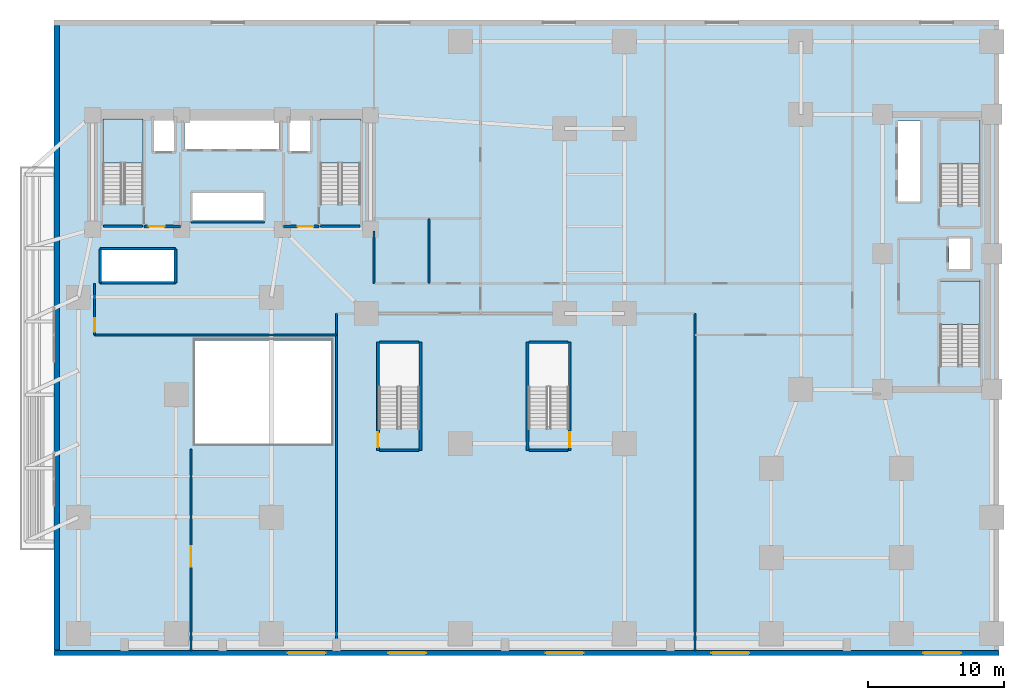
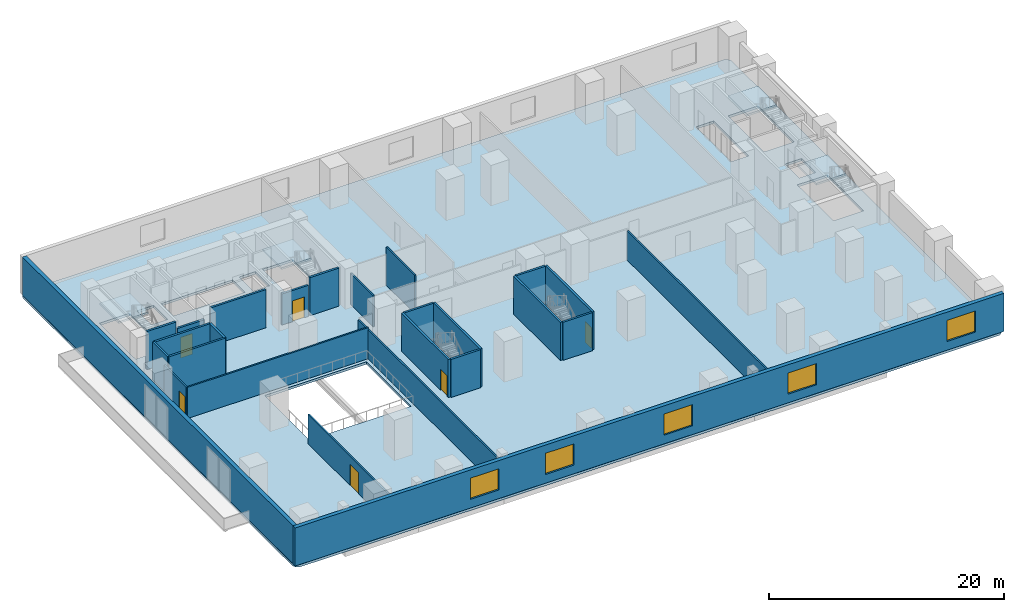
# One storey, part 6 of 13: 26 walls, 6 doors, 5 slabs, 5 windows, 11 openings, 4 elements without a shape of their own.
"""IFC4 building model written with IfcOpenShell, lengths in metres."""

from ifc_helpers import new_model, si_unit, direction, frame, frame_2d, origin, place, context, subcontext, project, spatial, polyline, rectangle, outline, extrude, material, layer, layer_set, type_object, element, fill, aggregate, save


model = new_model("IFC4")

# Units and contexts
model_context = context("Model", 3, precision=1e-05, world=origin(), true_north=direction((0.0, 1.0)))
body_context = subcontext(model_context, "Body", "Model", "MODEL_VIEW")
ifc_project = project(units=[si_unit("LENGTHUNIT", "METRE"), si_unit("AREAUNIT", "SQUARE_METRE"), si_unit("VOLUMEUNIT", "CUBIC_METRE"), si_unit("PLANEANGLEUNIT", "RADIAN"), si_unit("MASSUNIT", "GRAM", prefix="KILO")], contexts=[model_context])

# Site, building, storey
site_placement = place(None, origin())
site = spatial("IfcSite", under=ifc_project, at=site_placement, CompositionType="ELEMENT")
building_placement = place(site_placement, origin())
building = spatial("IfcBuilding", under=site, at=building_placement, Name="Kuzgunbayir Cultural Tower", CompositionType="ELEMENT")
storey_placement = place(building_placement, frame((0.0, 0.0, 4.60009765625)))
storey = spatial("IfcBuildingStorey", under=building, at=storey_placement, Name="L01", CompositionType="ELEMENT", Elevation=4.60009765625)

# Stair, slab
ifc_material_1 = material(Name="Concrete C40/50", Category="concrete")
stair_type = type_object("IfcStairType", Name="STR-EXIT-CORE", PredefinedType="HALF_TURN_STAIR", material=ifc_material_1)
stair_1_placement = place(storey_placement, origin())
stair_1 = element("IfcStair", 1, at=stair_1_placement, inside=storey, type_object=stair_type, Name="L01 ST-1", PredefinedType="HALF_TURN_STAIR")
ifc_layer_1 = layer(ifc_material_1, 0.179931640625)
ifc_layer_set_1 = layer_set([ifc_layer_1], Name="Concrete C40/50")
slab_type_1 = type_object("IfcSlabType", Name="SLB-LANDING-180", PredefinedType="LANDING", material=ifc_layer_set_1)
slab_1_placement = place(storey_placement, frame((0.0, 0.0, 1.89990234375)))
slab_1 = element("IfcSlab", 2, at=slab_1_placement, type_object=slab_type_1, Name="ST-1 landing 1", PredefinedType="LANDING", context=body_context, shape_type="SweptSolid", body=[
    extrude(outline(polyline([(10.159912109375, 38.679931640625), (10.159912109375, 41.89990234375), (7.199951171875, 41.89990234375), (7.199951171875, 38.679931640625), (10.159912109375, 38.679931640625)])), origin(), (0.0, 0.0, 1.0), 0.199951171875),
])
aggregate(stair_1, [slab_1])

stair_2_placement = place(storey_placement, origin())
stair_2 = element("IfcStair", 3, at=stair_2_placement, inside=storey, type_object=stair_type, Name="L01 ST-2", PredefinedType="HALF_TURN_STAIR")
slab_2_placement = place(storey_placement, frame((0.0, 0.0, 1.89990234375)))
slab_2 = element("IfcSlab", 4, at=slab_2_placement, type_object=slab_type_1, Name="ST-2 landing 1", PredefinedType="LANDING", context=body_context, shape_type="SweptSolid", body=[
    extrude(outline(polyline([(26.159912109375, 38.679931640625), (26.159912109375, 41.89990234375), (23.199951171875, 41.89990234375), (23.199951171875, 38.679931640625), (26.159912109375, 38.679931640625)])), origin(), (0.0, 0.0, 1.0), 0.199951171875),
])
aggregate(stair_2, [slab_2])

stair_3_placement = place(storey_placement, origin())
stair_3 = element("IfcStair", 5, at=stair_3_placement, inside=storey, type_object=stair_type, Name="L01 ST-3", PredefinedType="HALF_TURN_STAIR")
slab_3_placement = place(storey_placement, frame((0.0, 0.0, 1.89990234375)))
slab_3 = element("IfcSlab", 6, at=slab_3_placement, type_object=slab_type_1, Name="ST-3 landing 1", PredefinedType="LANDING", context=body_context, shape_type="SweptSolid", body=[
    extrude(outline(polyline([(71.800048828125, 26.780029296875), (71.800048828125, 30.0), (68.840087890625, 30.0), (68.840087890625, 26.780029296875), (71.800048828125, 26.780029296875)])), origin(), (0.0, 0.0, 1.0), 0.199951171875),
])
aggregate(stair_3, [slab_3])

stair_4_placement = place(storey_placement, origin())
stair_4 = element("IfcStair", 7, at=stair_4_placement, inside=storey, type_object=stair_type, Name="L01 ST-4", PredefinedType="HALF_TURN_STAIR")
slab_4_placement = place(storey_placement, frame((0.0, 0.0, 1.89990234375)))
slab_4 = element("IfcSlab", 8, at=slab_4_placement, type_object=slab_type_1, Name="ST-4 landing 1", PredefinedType="LANDING", context=body_context, shape_type="SweptSolid", body=[
    extrude(outline(polyline([(71.800048828125, 38.580078125), (71.800048828125, 41.800048828125), (68.840087890625, 41.800048828125), (68.840087890625, 38.580078125), (71.800048828125, 38.580078125)])), origin(), (0.0, 0.0, 1.0), 0.199951171875),
])
aggregate(stair_4, [slab_4])

# Slab
ifc_layer_2 = layer(ifc_material_1, 0.25)
ifc_layer_set_2 = layer_set([ifc_layer_2], Name="Concrete C40/50")
slab_type_2 = type_object("IfcSlabType", Name="SLB-POD-250", PredefinedType="FLOOR", material=ifc_layer_set_2)
slab_5_placement = place(storey_placement, frame((0.0, 0.0, -0.25)))
element("IfcSlab", 9, at=slab_5_placement, inside=storey, type_object=slab_type_2, Name="L01 Podium Structural Floor Slab", PredefinedType="FLOOR", context=body_context, shape_type="SweptSolid", body=[
    extrude(outline(polyline([(72.60009765625, 2.39990234375), (72.719970703125, 2.409912109375), (72.830078125, 2.449951171875), (72.929931640625, 2.5), (73.02001953125, 2.580078125), (73.10009765625, 2.669921875), (73.14990234375, 2.77001953125), (73.18994140625, 2.8798828125), (73.199951171875, 3.0), (73.199951171875, 48.60009765625), (73.18994140625, 48.719970703125), (73.14990234375, 48.830078125), (73.10009765625, 48.929931640625), (73.02001953125, 49.02001953125), (72.929931640625, 49.10009765625), (72.830078125, 49.14990234375), (72.719970703125, 49.18994140625), (72.60009765625, 49.199951171875), (4.199951171875, 49.199951171875), (4.080078125, 49.18994140625), (3.969970703125, 49.14990234375), (3.8701171875, 49.10009765625), (3.780029296875, 49.02001953125), (3.699951171875, 48.929931640625), (3.64990234375, 48.830078125), (3.610107421875, 48.719970703125), (3.60009765625, 48.60009765625), (3.60009765625, 3.0), (3.610107421875, 2.8798828125), (3.64990234375, 2.77001953125), (3.699951171875, 2.669921875), (3.780029296875, 2.580078125), (3.8701171875, 2.5), (3.969970703125, 2.449951171875), (4.080078125, 2.409912109375), (4.199951171875, 2.39990234375), (72.60009765625, 2.39990234375)]), holes=[polyline([(7.199951171875, 35.760009765625), (7.199951171875, 41.89990234375), (10.159912109375, 41.89990234375), (10.159912109375, 35.760009765625), (7.199951171875, 35.760009765625)]), polyline([(23.199951171875, 35.760009765625), (23.199951171875, 41.89990234375), (26.159912109375, 41.89990234375), (26.159912109375, 35.760009765625), (23.199951171875, 35.760009765625)]), polyline([(68.840087890625, 23.860107421875), (68.840087890625, 30.0), (71.800048828125, 30.0), (71.800048828125, 23.860107421875), (68.840087890625, 23.860107421875)]), polyline([(68.840087890625, 35.659912109375), (68.840087890625, 41.800048828125), (71.800048828125, 41.800048828125), (71.800048828125, 35.659912109375), (68.840087890625, 35.659912109375)]), polyline([(27.5400390625, 19.260009765625), (27.5400390625, 25.39990234375), (30.5, 25.39990234375), (30.5, 19.260009765625), (27.5400390625, 19.260009765625)]), polyline([(38.5400390625, 19.260009765625), (38.5400390625, 25.39990234375), (41.5, 25.39990234375), (41.5, 19.260009765625), (38.5400390625, 19.260009765625)]), polyline([(13.199951171875, 39.699951171875), (13.199951171875, 41.800048828125), (20.199951171875, 41.800048828125), (20.199951171875, 39.699951171875), (13.199951171875, 39.699951171875)]), polyline([(13.75, 34.39990234375), (13.75, 36.5), (19.080078125, 36.5), (19.080078125, 34.39990234375), (13.75, 34.39990234375)]), polyline([(7.10009765625, 29.89990234375), (7.10009765625, 32.300048828125), (12.5, 32.300048828125), (12.5, 29.89990234375), (7.10009765625, 29.89990234375)]), polyline([(10.89990234375, 39.5), (10.89990234375, 41.89990234375), (12.5, 41.89990234375), (12.5, 39.5), (10.89990234375, 39.5)]), polyline([(20.89990234375, 39.5), (20.89990234375, 41.89990234375), (22.5, 41.89990234375), (22.5, 39.5), (20.89990234375, 39.5)]), polyline([(65.699951171875, 35.800048828125), (65.699951171875, 41.75), (67.39990234375, 41.75), (67.39990234375, 35.800048828125), (65.699951171875, 35.800048828125)]), polyline([(69.5, 30.800048828125), (69.5, 33.199951171875), (71.10009765625, 33.199951171875), (71.10009765625, 30.800048828125), (69.5, 30.800048828125)]), polyline([(14.0, 18.0), (14.0, 25.60009765625), (24.0, 25.60009765625), (24.0, 18.0), (14.0, 18.0)])]), origin(), (0.0, 0.0, 1.0), 0.25),
])

# Wall, openings, windows
ifc_material_2 = material(Name="Anatolian Cream Limestone", Category="masonry")
ifc_layer_3 = layer(ifc_material_2, 0.3798828125)
ifc_layer_set_3 = layer_set([ifc_layer_3], Name="Anatolian Cream Limestone")
wall_type_1 = type_object("IfcWallType", Name="WAL-EXT-STONE-380", PredefinedType="STANDARD", material=ifc_layer_set_3)
wall_1_placement = place(storey_placement, frame((3.60009765625, 2.60009765625, 0.0), z_axis=(0.0, 0.0, 1.0), x_axis=(1.0, 0.0, 0.0)))
wall_1 = element("IfcWall", 10, at=wall_1_placement, inside=storey, type_object=wall_type_1, Name="L01 Podium South Limestone Facade", PredefinedType="STANDARD", context=body_context, shape_type="SweptSolid", body=[
    extrude(rectangle(XDim=69.599853515625, YDim=0.3798828125, at=frame_2d((34.7998046875, 0.0))), origin(), (0.0, 0.0, 1.0), 3.949951171875),
])
opening_1_placement = place(wall_1_placement, frame((17.199951171875, 0.0, 0.89990234375)))
opening_1 = element("IfcOpeningElement", 11, at=opening_1_placement, cuts=wall_1, Name="Opening WG-28", PredefinedType="OPENING", context=body_context, shape_type="SweptSolid", body=[
    extrude(rectangle(XDim=2.800048828125, YDim=2.199951171875, at=frame_2d((1.39990234375, 1.10009765625))), frame((0.0, 0.199951171875, 0.0), z_axis=(0.0, -1.0, 0.0), x_axis=(1.0, 0.0, 0.0)), (0.0, 0.0, 1.0), 0.39990234375),
])
opening_2_placement = place(wall_1_placement, frame((24.60009765625, 0.0, 0.89990234375)))
opening_2 = element("IfcOpeningElement", 12, at=opening_2_placement, cuts=wall_1, Name="Opening WG-28", PredefinedType="OPENING", context=body_context, shape_type="SweptSolid", body=[
    extrude(rectangle(XDim=2.800048828125, YDim=2.199951171875, at=frame_2d((1.39990234375, 1.10009765625))), frame((0.0, 0.199951171875, 0.0), z_axis=(0.0, -1.0, 0.0), x_axis=(1.0, 0.0, 0.0)), (0.0, 0.0, 1.0), 0.39990234375),
])
opening_3_placement = place(wall_1_placement, frame((36.199951171875, 0.0, 0.89990234375)))
opening_3 = element("IfcOpeningElement", 13, at=opening_3_placement, cuts=wall_1, Name="Opening WG-28", PredefinedType="OPENING", context=body_context, shape_type="SweptSolid", body=[
    extrude(rectangle(XDim=2.800048828125, YDim=2.199951171875, at=frame_2d((1.39990234375, 1.10009765625))), frame((0.0, 0.199951171875, 0.0), z_axis=(0.0, -1.0, 0.0), x_axis=(1.0, 0.0, 0.0)), (0.0, 0.0, 1.0), 0.39990234375),
])
opening_4_placement = place(wall_1_placement, frame((48.39990234375, 0.0, 0.89990234375)))
opening_4 = element("IfcOpeningElement", 14, at=opening_4_placement, cuts=wall_1, Name="Opening WG-28", PredefinedType="OPENING", context=body_context, shape_type="SweptSolid", body=[
    extrude(rectangle(XDim=2.800048828125, YDim=2.199951171875, at=frame_2d((1.39990234375, 1.10009765625))), frame((0.0, 0.199951171875, 0.0), z_axis=(0.0, -1.0, 0.0), x_axis=(1.0, 0.0, 0.0)), (0.0, 0.0, 1.0), 0.39990234375),
])
opening_5_placement = place(wall_1_placement, frame((64.0, 0.0, 0.89990234375)))
opening_5 = element("IfcOpeningElement", 15, at=opening_5_placement, cuts=wall_1, Name="Opening WG-28", PredefinedType="OPENING", context=body_context, shape_type="SweptSolid", body=[
    extrude(rectangle(XDim=2.800048828125, YDim=2.199951171875, at=frame_2d((1.39990234375, 1.10009765625))), frame((0.0, 0.199951171875, 0.0), z_axis=(0.0, -1.0, 0.0), x_axis=(1.0, 0.0, 0.0)), (0.0, 0.0, 1.0), 0.39990234375),
])
ifc_material_3 = material(Name="Solar-Control Triple Glazing", Category="glass")
window_type = type_object("IfcWindowType", Name="WIN-GALLERY-28", PartitioningType="SINGLE_PANEL", PredefinedType="WINDOW", material=ifc_material_3)
window_1_placement = place(opening_1_placement, origin())
window_1 = element("IfcWindow", 16, at=window_1_placement, inside=storey, type_object=window_type, Name="L01 Podium South Gallery Window 1", OverallHeight=2.199951171875, OverallWidth=2.800048828125, PartitioningType="SINGLE_PANEL", PredefinedType="WINDOW", context=body_context, shape_type="SweptSolid", body=[
    extrude(rectangle(XDim=2.800048828125, YDim=2.199951171875, at=frame_2d((1.39990234375, 1.10009765625))), frame((0.0, 0.030029296875, 0.0), z_axis=(0.0, -1.0, 0.0), x_axis=(1.0, 0.0, 0.0)), (0.0, 0.0, 1.0), 0.06005859375),
])
fill(opening_1, window_1)
window_2_placement = place(opening_2_placement, origin())
window_2 = element("IfcWindow", 17, at=window_2_placement, inside=storey, type_object=window_type, Name="L01 Podium South Gallery Window 2", OverallHeight=2.199951171875, OverallWidth=2.800048828125, PartitioningType="SINGLE_PANEL", PredefinedType="WINDOW", context=body_context, shape_type="SweptSolid", body=[
    extrude(rectangle(XDim=2.800048828125, YDim=2.199951171875, at=frame_2d((1.39990234375, 1.10009765625))), frame((0.0, 0.030029296875, 0.0), z_axis=(0.0, -1.0, 0.0), x_axis=(1.0, 0.0, 0.0)), (0.0, 0.0, 1.0), 0.06005859375),
])
fill(opening_2, window_2)
window_3_placement = place(opening_3_placement, origin())
window_3 = element("IfcWindow", 18, at=window_3_placement, inside=storey, type_object=window_type, Name="L01 Podium South Gallery Window 3", OverallHeight=2.199951171875, OverallWidth=2.800048828125, PartitioningType="SINGLE_PANEL", PredefinedType="WINDOW", context=body_context, shape_type="SweptSolid", body=[
    extrude(rectangle(XDim=2.800048828125, YDim=2.199951171875, at=frame_2d((1.39990234375, 1.10009765625))), frame((0.0, 0.030029296875, 0.0), z_axis=(0.0, -1.0, 0.0), x_axis=(1.0, 0.0, 0.0)), (0.0, 0.0, 1.0), 0.06005859375),
])
fill(opening_3, window_3)
window_4_placement = place(opening_4_placement, origin())
window_4 = element("IfcWindow", 19, at=window_4_placement, inside=storey, type_object=window_type, Name="L01 Podium South Gallery Window 4", OverallHeight=2.199951171875, OverallWidth=2.800048828125, PartitioningType="SINGLE_PANEL", PredefinedType="WINDOW", context=body_context, shape_type="SweptSolid", body=[
    extrude(rectangle(XDim=2.800048828125, YDim=2.199951171875, at=frame_2d((1.39990234375, 1.10009765625))), frame((0.0, 0.030029296875, 0.0), z_axis=(0.0, -1.0, 0.0), x_axis=(1.0, 0.0, 0.0)), (0.0, 0.0, 1.0), 0.06005859375),
])
fill(opening_4, window_4)
window_5_placement = place(opening_5_placement, origin())
window_5 = element("IfcWindow", 20, at=window_5_placement, inside=storey, type_object=window_type, Name="L01 Podium South Gallery Window 5", OverallHeight=2.199951171875, OverallWidth=2.800048828125, PartitioningType="SINGLE_PANEL", PredefinedType="WINDOW", context=body_context, shape_type="SweptSolid", body=[
    extrude(rectangle(XDim=2.800048828125, YDim=2.199951171875, at=frame_2d((1.39990234375, 1.10009765625))), frame((0.0, 0.030029296875, 0.0), z_axis=(0.0, -1.0, 0.0), x_axis=(1.0, 0.0, 0.0)), (0.0, 0.0, 1.0), 0.06005859375),
])
fill(opening_5, window_5)

# Walls
wall_2_placement = place(storey_placement, frame((3.800048828125, 48.800048828125, 0.0), z_axis=(0.0, 0.0, 1.0), x_axis=(0.0, -1.0, 0.0)))
element("IfcWall", 21, at=wall_2_placement, inside=storey, type_object=wall_type_1, Name="L01 Podium West Civic Limestone Facade", PredefinedType="STANDARD", context=body_context, shape_type="SweptSolid", body=[
    extrude(rectangle(XDim=46.0, YDim=0.3798828125, at=frame_2d((23.0, 0.0))), origin(), (0.0, 0.0, 1.0), 3.949951171875),
])
ifc_material_4 = material(Name="Acoustic Double-Stud Drywall", Category="gypsum")
ifc_layer_4 = layer(ifc_material_4, 0.14990234375)
ifc_layer_set_4 = layer_set([ifc_layer_4], Name="Acoustic Double-Stud Drywall")
wall_type_2 = type_object("IfcWallType", Name="WAL-PART-ACOUSTIC-150", PredefinedType="PARTITIONING", material=ifc_layer_set_4)
wall_3_placement = place(storey_placement, frame((6.60009765625, 26.0, 0.0), z_axis=(0.0, 0.0, 1.0), x_axis=(1.0, 0.0, 0.0)))
element("IfcWall", 22, at=wall_3_placement, inside=storey, type_object=wall_type_2, Name="L01 West Concourse South Wall", PredefinedType="PARTITIONING", context=body_context, shape_type="SweptSolid", body=[
    extrude(rectangle(XDim=17.7998046875, YDim=0.14990234375, at=frame_2d((8.89990234375, 0.0))), origin(), (0.0, 0.0, 1.0), 3.22998046875),
])

# Wall, opening, door
wall_4_placement = place(storey_placement, frame((6.60009765625, 26.0, 0.0), z_axis=(0.0, 0.0, 1.0), x_axis=(0.0, 1.0, 0.0)))
wall_4 = element("IfcWall", 23, at=wall_4_placement, inside=storey, type_object=wall_type_2, Name="L01 West Foyer Concourse Threshold", PredefinedType="PARTITIONING", context=body_context, shape_type="SweptSolid", body=[
    extrude(rectangle(XDim=3.800048828125, YDim=0.14990234375, at=frame_2d((1.89990234375, 0.0))), origin(), (0.0, 0.0, 1.0), 3.22998046875),
])
opening_6_placement = place(wall_4_placement, frame((0.239990234375, 0.0, 0.0)))
opening_6 = element("IfcOpeningElement", 24, at=opening_6_placement, cuts=wall_4, Name="Opening DI-100", PredefinedType="OPENING", context=body_context, shape_type="SweptSolid", body=[
    extrude(rectangle(XDim=1.0, YDim=2.14990234375, at=frame_2d((0.5, 1.074951171875))), frame((0.0, 0.0849609375, 0.0), z_axis=(0.0, -1.0, 0.0), x_axis=(1.0, 0.0, 0.0)), (0.0, 0.0, 1.0), 0.169921875),
])
ifc_material_5 = material(Name="Veneered Oak Single Leaf", Category="wood")
door_type_1 = type_object("IfcDoorType", Name="DR-INT-100", OperationType="NOTDEFINED", PredefinedType="DOOR", material=ifc_material_5)
door_1_placement = place(opening_6_placement, origin())
door_1 = element("IfcDoor", 25, at=door_1_placement, inside=storey, type_object=door_type_1, Name="L01 West Gallery Threshold Door", OperationType="SINGLE_SWING_RIGHT", OverallHeight=2.14990234375, OverallWidth=1.0, PredefinedType="DOOR", context=body_context, shape_type="SweptSolid", body=[
    extrude(rectangle(XDim=1.0, YDim=2.14990234375, at=frame_2d((0.5, 1.074951171875))), frame((0.0, 0.02490234375, 0.0), z_axis=(0.0, -1.0, 0.0), x_axis=(1.0, 0.0, 0.0)), (0.0, 0.0, 1.0), 0.050048828125),
])
fill(opening_6, door_1)

# Walls
for number, where, z_axis, x_axis, name in (
    (26, (24.39990234375, 2.75, 0.0), (0.0, 0.0, 1.0), (0.0, 1.0, 0.0), "L01 West Cultural Hall Divider"),
    (27, (50.800048828125, 2.75, 0.0), (0.0, 0.0, 1.0), (0.0, 1.0, 0.0), "L01 Central Performance Hall Divider"),
):
    element("IfcWall", number, at=place(storey_placement, frame(where, z_axis=z_axis, x_axis=x_axis)), inside=storey, type_object=wall_type_2, Name=name, PredefinedType="PARTITIONING", context=body_context, shape_type="SweptSolid", body=[
        extrude(rectangle(XDim=24.85009765625, YDim=0.14990234375, at=frame_2d((12.425048828125, 0.0))), origin(), (0.0, 0.0, 1.0), 3.02978515625),
    ])

# Wall, opening, door
wall_5_placement = place(storey_placement, frame((13.699951171875, 2.75, 0.0), z_axis=(0.0, 0.0, 1.0), x_axis=(0.0, 1.0, 0.0)))
wall_5 = element("IfcWall", 28, at=wall_5_placement, inside=storey, type_object=wall_type_2, Name="L01 Sculpture Promenade West Wall", PredefinedType="PARTITIONING", context=body_context, shape_type="SweptSolid", body=[
    extrude(rectangle(XDim=14.85009765625, YDim=0.14990234375, at=frame_2d((7.425048828125, 0.0))), origin(), (0.0, 0.0, 1.0), 3.02978515625),
])
opening_7_placement = place(wall_5_placement, frame((6.199951171875, 0.0, 0.0)))
opening_7 = element("IfcOpeningElement", 29, at=opening_7_placement, cuts=wall_5, Name="Opening DI-150", PredefinedType="OPENING", context=body_context, shape_type="SweptSolid", body=[
    extrude(rectangle(XDim=1.5, YDim=2.179931640625, at=frame_2d((0.75, 1.08984375))), frame((0.0, 0.0849609375, 0.0), z_axis=(0.0, -1.0, 0.0), x_axis=(1.0, 0.0, 0.0)), (0.0, 0.0, 1.0), 0.169921875),
])
ifc_material_6 = material(Name="Veneered Oak Double Leaf", Category="wood")
door_type_2 = type_object("IfcDoorType", Name="DR-INT-150", OperationType="DOUBLE_DOOR_SINGLE_SWING", PredefinedType="DOOR", material=ifc_material_6)
door_2_placement = place(opening_7_placement, origin())
door_2 = element("IfcDoor", 30, at=door_2_placement, inside=storey, type_object=door_type_2, Name="L01 Sculpture Promenade Archway Door", OperationType="DOUBLE_DOOR_SINGLE_SWING", OverallHeight=2.179931640625, OverallWidth=1.5, PredefinedType="DOOR", context=body_context, shape_type="SweptSolid", body=[
    extrude(rectangle(XDim=1.5, YDim=2.179931640625, at=frame_2d((0.75, 1.08984375))), frame((0.0, 0.02490234375, 0.0), z_axis=(0.0, -1.0, 0.0), x_axis=(1.0, 0.0, 0.0)), (0.0, 0.0, 1.0), 0.050048828125),
])
fill(opening_7, door_2)

ifc_material_7 = material(Name="Aerated Concrete Blockwork", Category="masonry")
ifc_layer_5 = layer(ifc_material_7, 0.199951171875)
ifc_layer_set_5 = layer_set([ifc_layer_5], Name="Aerated Concrete Blockwork")
wall_type_3 = type_object("IfcWallType", Name="WAL-PART-FIRE-200", PredefinedType="PARTITIONING", material=ifc_layer_set_5)
wall_6_placement = place(storey_placement, frame((10.239990234375, 34.0, 0.0), z_axis=(0.0, 0.0, 1.0), x_axis=(1.0, 0.0, 0.0)))
wall_6 = element("IfcWall", 31, at=wall_6_placement, inside=storey, type_object=wall_type_3, Name="L01 FFL-1 Lobby South Fire Wall", PredefinedType="PARTITIONING", context=body_context, shape_type="SweptSolid", body=[
    extrude(rectangle(XDim=2.659912109375, YDim=0.199951171875, at=frame_2d((1.330078125, 0.0))), origin(), (0.0, 0.0, 1.0), 3.22998046875),
])
opening_8_placement = place(wall_6_placement, frame((0.35009765625, 0.0, 0.0)))
opening_8 = element("IfcOpeningElement", 32, at=opening_8_placement, cuts=wall_6, Name="Opening DR-FFL-90", PredefinedType="OPENING", context=body_context, shape_type="SweptSolid", body=[
    extrude(rectangle(XDim=1.14990234375, YDim=2.14990234375, at=frame_2d((0.574951171875, 1.074951171875))), frame((0.0, 0.10986328125, 0.0), z_axis=(0.0, -1.0, 0.0), x_axis=(1.0, 0.0, 0.0)), (0.0, 0.0, 1.0), 0.219970703125),
])
ifc_material_8 = material(Name="Steel S355J2", Category="steel")
door_type_3 = type_object("IfcDoorType", Name="DR-FFL-90", OperationType="NOTDEFINED", PredefinedType="DOOR", material=ifc_material_8)
door_3_placement = place(opening_8_placement, origin())
door_3 = element("IfcDoor", 33, at=door_3_placement, inside=storey, type_object=door_type_3, Name="L01 Firefighting Lobby 1 Door", OperationType="SINGLE_SWING_RIGHT", OverallHeight=2.14990234375, OverallWidth=1.14990234375, PredefinedType="DOOR", context=body_context, shape_type="SweptSolid", body=[
    extrude(rectangle(XDim=1.14990234375, YDim=2.14990234375, at=frame_2d((0.574951171875, 1.074951171875))), frame((0.0, 0.02490234375, 0.0), z_axis=(0.0, -1.0, 0.0), x_axis=(1.0, 0.0, 0.0)), (0.0, 0.0, 1.0), 0.050048828125),
])
fill(opening_8, door_3)

wall_7_placement = place(storey_placement, frame((20.5, 34.0, 0.0), z_axis=(0.0, 0.0, 1.0), x_axis=(1.0, 0.0, 0.0)))
wall_7 = element("IfcWall", 34, at=wall_7_placement, inside=storey, type_object=wall_type_3, Name="L01 FFL-2 Lobby South Fire Wall", PredefinedType="PARTITIONING", context=body_context, shape_type="SweptSolid", body=[
    extrude(rectangle(XDim=2.60009765625, YDim=0.199951171875, at=frame_2d((1.300048828125, 0.0))), origin(), (0.0, 0.0, 1.0), 3.22998046875),
])
opening_9_placement = place(wall_7_placement, frame((1.050048828125, 0.0, 0.0)))
opening_9 = element("IfcOpeningElement", 35, at=opening_9_placement, cuts=wall_7, Name="Opening DR-FFL-90", PredefinedType="OPENING", context=body_context, shape_type="SweptSolid", body=[
    extrude(rectangle(XDim=1.14990234375, YDim=2.14990234375, at=frame_2d((0.574951171875, 1.074951171875))), frame((0.0, 0.10986328125, 0.0), z_axis=(0.0, -1.0, 0.0), x_axis=(1.0, 0.0, 0.0)), (0.0, 0.0, 1.0), 0.219970703125),
])
door_4_placement = place(opening_9_placement, origin())
door_4 = element("IfcDoor", 36, at=door_4_placement, inside=storey, type_object=door_type_3, Name="L01 Firefighting Lobby 2 Door", OperationType="SINGLE_SWING_LEFT", OverallHeight=2.14990234375, OverallWidth=1.14990234375, PredefinedType="DOOR", context=body_context, shape_type="SweptSolid", body=[
    extrude(rectangle(XDim=1.14990234375, YDim=2.14990234375, at=frame_2d((0.574951171875, 1.074951171875))), frame((0.0, 0.02490234375, 0.0), z_axis=(0.0, -1.0, 0.0), x_axis=(1.0, 0.0, 0.0)), (0.0, 0.0, 1.0), 0.050048828125),
])
fill(opening_9, door_4)

# Walls
ifc_material_9 = material(Name="Moisture-Resistant Tile Partition", Category="gypsum")
ifc_layer_6 = layer(ifc_material_9, 0.14990234375)
ifc_layer_set_6 = layer_set([ifc_layer_6], Name="Moisture-Resistant Tile Partition")
wall_type_4 = type_object("IfcWallType", Name="WAL-PART-WET-150", PredefinedType="PARTITIONING", material=ifc_layer_set_6)
wall_8_placement = place(storey_placement, frame((27.14990234375, 29.800048828125, 0.0), z_axis=(0.0, 0.0, 1.0), x_axis=(0.0, 1.0, 0.0)))
element("IfcWall", 37, at=wall_8_placement, inside=storey, type_object=wall_type_4, Name="L01 Core East Partition South", PredefinedType="PARTITIONING", context=body_context, shape_type="SweptSolid", body=[
    extrude(rectangle(XDim=3.849853515625, YDim=0.14990234375, at=frame_2d((1.9248046875, 0.0))), origin(), (0.0, 0.0, 1.0), 3.22998046875),
])
wall_9_placement = place(storey_placement, frame((31.199951171875, 29.800048828125, 0.0), z_axis=(0.0, 0.0, 1.0), x_axis=(0.0, 1.0, 0.0)))
element("IfcWall", 38, at=wall_9_placement, inside=storey, type_object=wall_type_4, Name="L01 Public WC East Wall", PredefinedType="PARTITIONING", context=body_context, shape_type="SweptSolid", body=[
    extrude(rectangle(XDim=4.800048828125, YDim=0.14990234375, at=frame_2d((2.39990234375, 0.0))), origin(), (0.0, 0.0, 1.0), 3.949951171875),
])
ifc_layer_7 = layer(ifc_material_1, 0.199951171875)
ifc_layer_set_7 = layer_set([ifc_layer_7], Name="Concrete C40/50")
wall_type_5 = type_object("IfcWallType", Name="WAL-SHAFT-200", PredefinedType="MOVABLE", material=ifc_layer_set_7)
for number, where, z_axis, x_axis, name in (
    (39, (7.0, 29.85009765625, 0.0), (0.0, 0.0, 1.0), (1.0, 0.0, 0.0), "L01 High-Rise Lift Shaft South Wall"),
    (40, (7.0, 32.35009765625, 0.0), (0.0, 0.0, 1.0), (1.0, 0.0, 0.0), "L01 High-Rise Lift Shaft North Wall"),
):
    element("IfcWall", number, at=place(storey_placement, frame(where, z_axis=z_axis, x_axis=x_axis)), inside=storey, type_object=wall_type_5, Name=name, PredefinedType="MOVABLE", context=body_context, shape_type="SweptSolid", body=[
        extrude(rectangle(XDim=5.550048828125, YDim=0.199951171875, at=frame_2d((2.77490234375, 0.0))), origin(), (0.0, 0.0, 1.0), 3.949951171875),
    ])
for number, where, z_axis, x_axis, name in (
    (41, (7.0, 29.85009765625, 0.0), (0.0, 0.0, 1.0), (0.0, 1.0, 0.0), "L01 High-Rise Lift Shaft West Wall"),
    (42, (12.550048828125, 29.85009765625, 0.0), (0.0, 0.0, 1.0), (0.0, 1.0, 0.0), "L01 High-Rise Lift Shaft East Wall"),
):
    element("IfcWall", number, at=place(storey_placement, frame(where, z_axis=z_axis, x_axis=x_axis)), inside=storey, type_object=wall_type_5, Name=name, PredefinedType="MOVABLE", context=body_context, shape_type="SweptSolid", body=[
        extrude(rectangle(XDim=2.5, YDim=0.199951171875, at=frame_2d((1.25, 0.0))), origin(), (0.0, 0.0, 1.0), 3.949951171875),
    ])
wall_10_placement = place(storey_placement, frame((13.699951171875, 34.35009765625, 0.0), z_axis=(0.0, 0.0, 1.0), x_axis=(1.0, 0.0, 0.0)))
element("IfcWall", 43, at=wall_10_placement, inside=storey, type_object=wall_type_5, Name="L01 Mid-Rise Lift Front Wall", PredefinedType="MOVABLE", context=body_context, shape_type="SweptSolid", body=[
    extrude(rectangle(XDim=5.420166015625, YDim=0.199951171875, at=frame_2d((2.7099609375, 0.0))), origin(), (0.0, 0.0, 1.0), 3.949951171875),
])
ifc_layer_8 = layer(ifc_material_1, 0.199951171875)
ifc_layer_set_8 = layer_set([ifc_layer_8], Name="Concrete C40/50")
wall_type_6 = type_object("IfcWallType", Name="WAL-STAIR-RC-200", PredefinedType="SHEAR", material=ifc_layer_set_8)
for number, where, z_axis, x_axis, name in (
    (44, (7.239990234375, 34.02001953125, 0.0), (0.0, 0.0, 1.0), (1.0, 0.0, 0.0), "L01 Stair ST-1 South Structural Wall"),
    (45, (23.239990234375, 34.02001953125, 0.0), (0.0, 0.0, 1.0), (1.0, 0.0, 0.0), "L01 Stair ST-2 South Structural Wall"),
):
    element("IfcWall", number, at=place(storey_placement, frame(where, z_axis=z_axis, x_axis=x_axis)), inside=storey, type_object=wall_type_6, Name=name, PredefinedType="SHEAR", context=body_context, shape_type="SweptSolid", body=[
        extrude(rectangle(XDim=2.880126953125, YDim=0.199951171875, at=frame_2d((1.43994140625, 0.0))), origin(), (0.0, 0.0, 1.0), 3.949951171875),
    ])

# Wall, opening, door
wall_11_placement = place(storey_placement, frame((27.4599609375, 17.52001953125, 0.0), z_axis=(0.0, 0.0, 1.0), x_axis=(0.0, 1.0, 0.0)))
wall_11 = element("IfcWall", 46, at=wall_11_placement, inside=storey, type_object=wall_type_6, Name="L01 Stair ST-5 West Structural Wall", PredefinedType="SHEAR", context=body_context, shape_type="SweptSolid", body=[
    extrude(rectangle(XDim=7.9599609375, YDim=0.199951171875, at=frame_2d((3.97998046875, 0.0))), origin(), (0.0, 0.0, 1.0), 3.949951171875),
])
opening_10_placement = place(wall_11_placement, frame((0.219970703125, 0.0, 0.0)))
opening_10 = element("IfcOpeningElement", 47, at=opening_10_placement, cuts=wall_11, Name="Opening DR-STAIR-90", PredefinedType="OPENING", context=body_context, shape_type="SweptSolid", body=[
    extrude(rectangle(XDim=1.10009765625, YDim=2.14990234375, at=frame_2d((0.550048828125, 1.074951171875))), frame((0.0, 0.10986328125, 0.0), z_axis=(0.0, -1.0, 0.0), x_axis=(1.0, 0.0, 0.0)), (0.0, 0.0, 1.0), 0.219970703125),
])
door_type_4 = type_object("IfcDoorType", Name="DR-STAIR-90", OperationType="NOTDEFINED", PredefinedType="DOOR", material=ifc_material_8)
door_5_placement = place(opening_10_placement, origin())
door_5 = element("IfcDoor", 48, at=door_5_placement, inside=storey, type_object=door_type_4, Name="L01 Stair ST-5 Fire Door", OperationType="SINGLE_SWING_RIGHT", OverallHeight=2.14990234375, OverallWidth=1.10009765625, PredefinedType="DOOR", context=body_context, shape_type="SweptSolid", body=[
    extrude(rectangle(XDim=1.10009765625, YDim=2.14990234375, at=frame_2d((0.550048828125, 1.074951171875))), frame((0.0, 0.02490234375, 0.0), z_axis=(0.0, -1.0, 0.0), x_axis=(1.0, 0.0, 0.0)), (0.0, 0.0, 1.0), 0.050048828125),
])
fill(opening_10, door_5)

# Walls
wall_12_placement = place(storey_placement, frame((30.580078125, 17.52001953125, 0.0), z_axis=(0.0, 0.0, 1.0), x_axis=(0.0, 1.0, 0.0)))
element("IfcWall", 49, at=wall_12_placement, inside=storey, type_object=wall_type_6, Name="L01 Stair ST-5 East Structural Wall", PredefinedType="SHEAR", context=body_context, shape_type="SweptSolid", body=[
    extrude(rectangle(XDim=7.9599609375, YDim=0.199951171875, at=frame_2d((3.97998046875, 0.0))), origin(), (0.0, 0.0, 1.0), 3.949951171875),
])
for number, where, z_axis, x_axis, name in (
    (50, (27.580078125, 25.47998046875, 0.0), (0.0, 0.0, 1.0), (1.0, 0.0, 0.0), "L01 Stair ST-5 North Structural Wall"),
    (51, (27.580078125, 17.52001953125, 0.0), (0.0, 0.0, 1.0), (1.0, 0.0, 0.0), "L01 Stair ST-5 South Structural Wall"),
):
    element("IfcWall", number, at=place(storey_placement, frame(where, z_axis=z_axis, x_axis=x_axis)), inside=storey, type_object=wall_type_6, Name=name, PredefinedType="SHEAR", context=body_context, shape_type="SweptSolid", body=[
        extrude(rectangle(XDim=2.8798828125, YDim=0.199951171875, at=frame_2d((1.43994140625, 0.0))), origin(), (0.0, 0.0, 1.0), 3.949951171875),
    ])
wall_13_placement = place(storey_placement, frame((38.4599609375, 17.52001953125, 0.0), z_axis=(0.0, 0.0, 1.0), x_axis=(0.0, 1.0, 0.0)))
element("IfcWall", 52, at=wall_13_placement, inside=storey, type_object=wall_type_6, Name="L01 Stair ST-6 West Structural Wall", PredefinedType="SHEAR", context=body_context, shape_type="SweptSolid", body=[
    extrude(rectangle(XDim=7.9599609375, YDim=0.199951171875, at=frame_2d((3.97998046875, 0.0))), origin(), (0.0, 0.0, 1.0), 3.949951171875),
])

# Wall, opening, door
wall_14_placement = place(storey_placement, frame((41.580078125, 17.52001953125, 0.0), z_axis=(0.0, 0.0, 1.0), x_axis=(0.0, 1.0, 0.0)))
wall_14 = element("IfcWall", 53, at=wall_14_placement, inside=storey, type_object=wall_type_6, Name="L01 Stair ST-6 East Structural Wall", PredefinedType="SHEAR", context=body_context, shape_type="SweptSolid", body=[
    extrude(rectangle(XDim=7.9599609375, YDim=0.199951171875, at=frame_2d((3.97998046875, 0.0))), origin(), (0.0, 0.0, 1.0), 3.949951171875),
])
opening_11_placement = place(wall_14_placement, frame((0.219970703125, 0.0, 0.0)))
opening_11 = element("IfcOpeningElement", 54, at=opening_11_placement, cuts=wall_14, Name="Opening DR-STAIR-90", PredefinedType="OPENING", context=body_context, shape_type="SweptSolid", body=[
    extrude(rectangle(XDim=1.10009765625, YDim=2.14990234375, at=frame_2d((0.550048828125, 1.074951171875))), frame((0.0, 0.10986328125, 0.0), z_axis=(0.0, -1.0, 0.0), x_axis=(1.0, 0.0, 0.0)), (0.0, 0.0, 1.0), 0.219970703125),
])
door_6_placement = place(opening_11_placement, origin())
door_6 = element("IfcDoor", 55, at=door_6_placement, inside=storey, type_object=door_type_4, Name="L01 Stair ST-6 Fire Door", OperationType="SINGLE_SWING_RIGHT", OverallHeight=2.14990234375, OverallWidth=1.10009765625, PredefinedType="DOOR", context=body_context, shape_type="SweptSolid", body=[
    extrude(rectangle(XDim=1.10009765625, YDim=2.14990234375, at=frame_2d((0.550048828125, 1.074951171875))), frame((0.0, 0.02490234375, 0.0), z_axis=(0.0, -1.0, 0.0), x_axis=(1.0, 0.0, 0.0)), (0.0, 0.0, 1.0), 0.050048828125),
])
fill(opening_11, door_6)

# Walls
for number, where, z_axis, x_axis, name in (
    (56, (38.580078125, 25.47998046875, 0.0), (0.0, 0.0, 1.0), (1.0, 0.0, 0.0), "L01 Stair ST-6 North Structural Wall"),
    (57, (38.580078125, 17.52001953125, 0.0), (0.0, 0.0, 1.0), (1.0, 0.0, 0.0), "L01 Stair ST-6 South Structural Wall"),
):
    element("IfcWall", number, at=place(storey_placement, frame(where, z_axis=z_axis, x_axis=x_axis)), inside=storey, type_object=wall_type_6, Name=name, PredefinedType="SHEAR", context=body_context, shape_type="SweptSolid", body=[
        extrude(rectangle(XDim=2.8798828125, YDim=0.199951171875, at=frame_2d((1.43994140625, 0.0))), origin(), (0.0, 0.0, 1.0), 3.949951171875),
    ])

save(model, "model.ifc")
